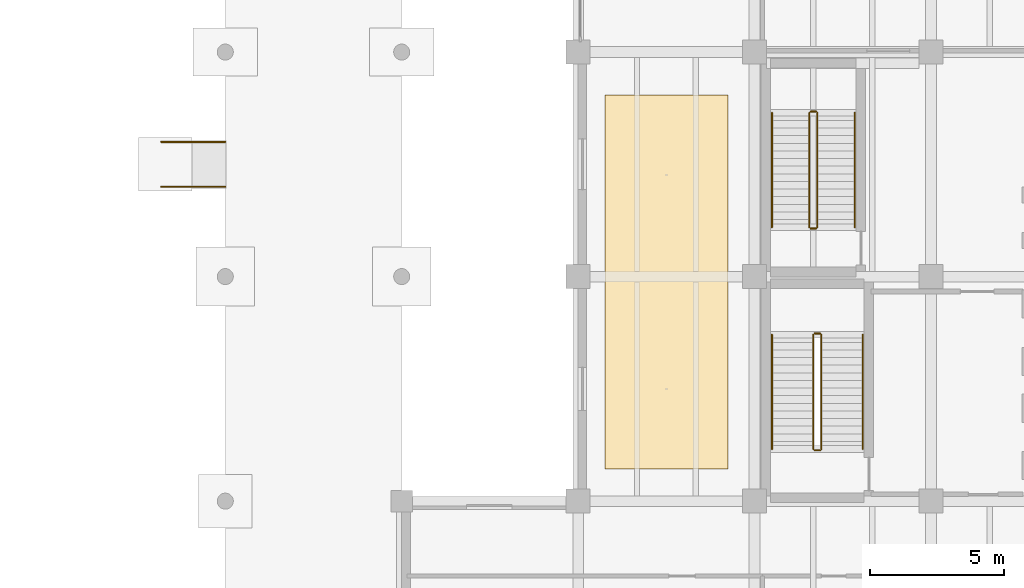
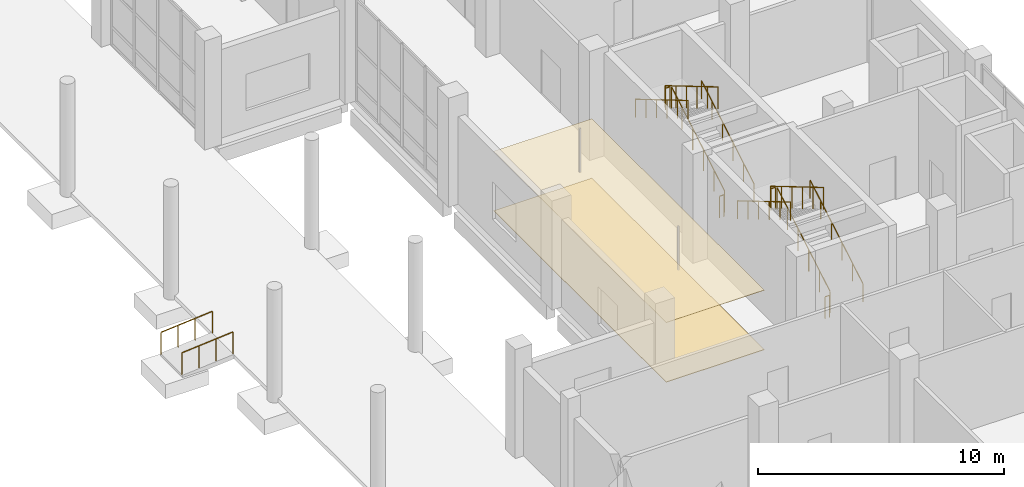
# One storey, part 62 of 64: 14 railings, 2 coverings.
"""IFC4 building model written with IfcOpenShell, lengths in metres."""

from ifc_helpers import new_model, si_unit, direction, frame, origin, origin_2d, place, context, subcontext, project, spatial, polyline, circle, outline, extrude, material, layer, layer_set, type_object, element, save


model = new_model("IFC4")

# Units and contexts
model_context = context("Model", 3, precision=1e-05, world=origin(), true_north=direction((0.0, 1.0)))
body_context = subcontext(model_context, "Body", "Model", "MODEL_VIEW")
ifc_project = project(units=[si_unit("LENGTHUNIT", "METRE"), si_unit("AREAUNIT", "SQUARE_METRE"), si_unit("VOLUMEUNIT", "CUBIC_METRE"), si_unit("PLANEANGLEUNIT", "RADIAN"), si_unit("MASSUNIT", "GRAM", prefix="KILO")], contexts=[model_context])

# Site, building, storey
site_placement = place(None, origin())
site = spatial("IfcSite", under=ifc_project, at=site_placement, CompositionType="ELEMENT")
building_placement = place(site_placement, origin())
building = spatial("IfcBuilding", under=site, at=building_placement, Name="Qaldarim Faculty of Natural and Applied Sciences", CompositionType="ELEMENT")
storey_placement = place(building_placement, origin())
storey = spatial("IfcBuildingStorey", under=building, at=storey_placement, Name="L00", CompositionType="ELEMENT", Elevation=0.0)

# Covering
ifc_material_1 = material(Name="Acoustic mineral fibre")
ifc_layer_1 = layer(ifc_material_1, 0.02001953125)
ifc_layer_set_1 = layer_set([ifc_layer_1], Name="Acoustic mineral fibre")
covering_type_1 = type_object("IfcCoveringType", Name="AcousticMineralCeiling-20", PredefinedType="CEILING", material=ifc_layer_set_1)
covering_1_placement = place(storey_placement, frame((0.0, 0.0, 2.949951171875)))
element("IfcCovering", 1, at=covering_1_placement, inside=storey, type_object=covering_type_1, Name="Acoustic corridor ceiling L00", PredefinedType="CEILING", context=body_context, shape_type="SweptSolid", body=[
    extrude(outline(polyline([(159.39990234375, 18.0), (164.0, 18.0), (164.0, 32.0), (159.39990234375, 32.0), (159.39990234375, 18.0)])), origin(), (0.0, 0.0, 1.0), 0.02001953125),
])

# Railings
ifc_material_2 = material(Name="Architectural stainless steel 316", Category="steel")
railing_type_1 = type_object("IfcRailingType", Name="ExteriorGuardBalustrade-1100", PredefinedType="BALUSTRADE", material=ifc_material_2)
for number, where, name in (
    (2, (142.800048828125, 30.239990234375, -0.199951171875), "East arcade accessible ramp handrail L"),
    (3, (142.800048828125, 28.56005859375, -0.199951171875), "East arcade accessible ramp handrail R"),
):
    element("IfcRailing", number, at=place(storey_placement, frame(where)), inside=storey, type_object=railing_type_1, Name=name, PredefinedType="BALUSTRADE", context=body_context, shape_type="SweptSolid", body=[
        extrude(circle(Radius=0.02392578125, at=origin_2d()), frame((0.0, 0.0, 1.076171875), z_axis=(0.996547156423, 0.0, 0.083028700011), x_axis=(0.0, 1.0, 0.0)), (0.0, 0.0, 1.0), 2.408203125),
        extrude(circle(Radius=0.02099609375, at=origin_2d()), origin(), (0.0, 0.0, 1.0), 1.052001953125),
        extrude(circle(Radius=0.02099609375, at=origin_2d()), frame((0.800048828125, 0.0, 0.066650390625)), (0.0, 0.0, 1.0), 1.052001953125),
        extrude(circle(Radius=0.02099609375, at=origin_2d()), frame((1.599853515625, 0.0, 0.13330078125)), (0.0, 0.0, 1.0), 1.052001953125),
        extrude(circle(Radius=0.02099609375, at=origin_2d()), frame((2.39990234375, 0.0, 0.199951171875)), (0.0, 0.0, 1.0), 1.052001953125),
    ])
railing_type_2 = type_object("IfcRailingType", Name="GuardBalustrade-1100", PredefinedType="BALUSTRADE", material=ifc_material_2)
railing_1_placement = place(storey_placement, frame((167.5, 18.75, 0.169921875)))
element("IfcRailing", 4, at=railing_1_placement, inside=storey, type_object=railing_type_2, Name="ST-A1 L00 stair well guard 1", PredefinedType="BALUSTRADE", context=body_context, shape_type="SweptSolid", body=[
    extrude(circle(Radius=0.02392578125, at=origin_2d()), frame((0.0, 0.0, 1.076171875), z_axis=(0.0, 0.860578001716, 0.509318665436), x_axis=(-1.0, 0.0, 0.0)), (0.0, 0.0, 1.0), 4.967529296875),
    extrude(circle(Radius=0.02099609375, at=origin_2d()), origin(), (0.0, 0.0, 1.0), 1.052001953125),
    extrude(circle(Radius=0.02099609375, at=origin_2d()), frame((0.0, 0.85498046875, 0.506103515625)), (0.0, 0.0, 1.0), 1.052001953125),
    extrude(circle(Radius=0.02099609375, at=origin_2d()), frame((0.0, 1.7099609375, 1.011962890625)), (0.0, 0.0, 1.0), 1.052001953125),
    extrude(circle(Radius=0.02099609375, at=origin_2d()), frame((0.0, 2.56494140625, 1.51806640625)), (0.0, 0.0, 1.0), 1.052001953125),
    extrude(circle(Radius=0.02099609375, at=origin_2d()), frame((0.0, 3.419921875, 2.02392578125)), (0.0, 0.0, 1.0), 1.052001953125),
    extrude(circle(Radius=0.02099609375, at=origin_2d()), frame((0.0, 4.27490234375, 2.530029296875)), (0.0, 0.0, 1.0), 1.052001953125),
])
railing_2_placement = place(storey_placement, frame((167.449951171875, 23.074951171875, 2.699951171875)))
element("IfcRailing", 5, at=railing_2_placement, inside=storey, type_object=railing_type_2, Name="ST-A1 L00 stair well guard 2", PredefinedType="BALUSTRADE", context=body_context, shape_type="SweptSolid", body=[
    extrude(circle(Radius=0.02392578125, at=origin_2d()), frame((0.0, 0.0, 1.076171875), z_axis=(-1.0, 0.0, 0.0), x_axis=(0.0, -1.0, 0.0)), (0.0, 0.0, 1.0), 0.199951171875),
    extrude(circle(Radius=0.02099609375, at=origin_2d()), origin(), (0.0, 0.0, 1.0), 1.052001953125),
    extrude(circle(Radius=0.02099609375, at=origin_2d()), frame((-0.199951171875, 0.0, 0.0)), (0.0, 0.0, 1.0), 1.052001953125),
])
railing_3_placement = place(storey_placement, frame((167.199951171875, 23.02490234375, 2.8701171875)))
element("IfcRailing", 6, at=railing_3_placement, inside=storey, type_object=railing_type_2, Name="ST-A1 L00 stair well guard 3", PredefinedType="BALUSTRADE", context=body_context, shape_type="SweptSolid", body=[
    extrude(circle(Radius=0.02392578125, at=origin_2d()), frame((0.0, 0.0, 1.076171875), z_axis=(0.0, -0.860599543382, 0.509282265478), x_axis=(1.0, 0.0, 0.0)), (0.0, 0.0, 1.0), 4.96728515625),
    extrude(circle(Radius=0.02099609375, at=origin_2d()), origin(), (0.0, 0.0, 1.0), 1.052001953125),
    extrude(circle(Radius=0.02099609375, at=origin_2d()), frame((0.0, -0.85498046875, 0.505859375)), (0.0, 0.0, 1.0), 1.052001953125),
    extrude(circle(Radius=0.02099609375, at=origin_2d()), frame((0.0, -1.7099609375, 1.011962890625)), (0.0, 0.0, 1.0), 1.052001953125),
    extrude(circle(Radius=0.02099609375, at=origin_2d()), frame((0.0, -2.56494140625, 1.517822265625)), (0.0, 0.0, 1.0), 1.052001953125),
    extrude(circle(Radius=0.02099609375, at=origin_2d()), frame((0.0, -3.419921875, 2.02392578125)), (0.0, 0.0, 1.0), 1.052001953125),
    extrude(circle(Radius=0.02099609375, at=origin_2d()), frame((0.0, -4.27490234375, 2.52978515625)), (0.0, 0.0, 1.0), 1.052001953125),
])
railing_4_placement = place(storey_placement, frame((167.449951171875, 18.699951171875, 0.0)))
element("IfcRailing", 7, at=railing_4_placement, inside=storey, type_object=railing_type_2, Name="ST-A1 L00 stair well guard 4", PredefinedType="BALUSTRADE", context=body_context, shape_type="SweptSolid", body=[
    extrude(circle(Radius=0.02392578125, at=origin_2d()), frame((0.0, 0.0, 1.076171875), z_axis=(-1.0, 0.0, 0.0), x_axis=(0.0, -1.0, 0.0)), (0.0, 0.0, 1.0), 0.199951171875),
    extrude(circle(Radius=0.02099609375, at=origin_2d()), origin(), (0.0, 0.0, 1.0), 1.052001953125),
    extrude(circle(Radius=0.02099609375, at=origin_2d()), frame((-0.199951171875, 0.0, 0.0)), (0.0, 0.0, 1.0), 1.052001953125),
])
railing_5_placement = place(storey_placement, frame((167.35009765625, 27.050048828125, 0.169921875)))
element("IfcRailing", 8, at=railing_5_placement, inside=storey, type_object=railing_type_2, Name="ST-A2 L00 stair well guard 1", PredefinedType="BALUSTRADE", context=body_context, shape_type="SweptSolid", body=[
    extrude(circle(Radius=0.02392578125, at=origin_2d()), frame((0.0, 0.0, 1.076171875), z_axis=(0.0, 0.860578001716, 0.509318665436), x_axis=(-1.0, 0.0, 0.0)), (0.0, 0.0, 1.0), 4.967529296875),
    extrude(circle(Radius=0.02099609375, at=origin_2d()), origin(), (0.0, 0.0, 1.0), 1.052001953125),
    extrude(circle(Radius=0.02099609375, at=origin_2d()), frame((0.0, 0.85498046875, 0.506103515625)), (0.0, 0.0, 1.0), 1.052001953125),
    extrude(circle(Radius=0.02099609375, at=origin_2d()), frame((0.0, 1.7099609375, 1.011962890625)), (0.0, 0.0, 1.0), 1.052001953125),
    extrude(circle(Radius=0.02099609375, at=origin_2d()), frame((0.0, 2.56494140625, 1.51806640625)), (0.0, 0.0, 1.0), 1.052001953125),
    extrude(circle(Radius=0.02099609375, at=origin_2d()), frame((0.0, 3.419921875, 2.02392578125)), (0.0, 0.0, 1.0), 1.052001953125),
    extrude(circle(Radius=0.02099609375, at=origin_2d()), frame((0.0, 4.27490234375, 2.530029296875)), (0.0, 0.0, 1.0), 1.052001953125),
])
railing_6_placement = place(storey_placement, frame((167.300048828125, 31.375, 2.699951171875)))
element("IfcRailing", 9, at=railing_6_placement, inside=storey, type_object=railing_type_2, Name="ST-A2 L00 stair well guard 2", PredefinedType="BALUSTRADE", context=body_context, shape_type="SweptSolid", body=[
    extrude(circle(Radius=0.02392578125, at=origin_2d()), frame((0.0, 0.0, 1.076171875), z_axis=(-1.0, 0.0, 0.0), x_axis=(0.0, -1.0, 0.0)), (0.0, 0.0, 1.0), 0.199951171875),
    extrude(circle(Radius=0.02099609375, at=origin_2d()), origin(), (0.0, 0.0, 1.0), 1.052001953125),
    extrude(circle(Radius=0.02099609375, at=origin_2d()), frame((-0.199951171875, 0.0, 0.0)), (0.0, 0.0, 1.0), 1.052001953125),
])
railing_7_placement = place(storey_placement, frame((167.050048828125, 31.324951171875, 2.8701171875)))
element("IfcRailing", 10, at=railing_7_placement, inside=storey, type_object=railing_type_2, Name="ST-A2 L00 stair well guard 3", PredefinedType="BALUSTRADE", context=body_context, shape_type="SweptSolid", body=[
    extrude(circle(Radius=0.02392578125, at=origin_2d()), frame((0.0, 0.0, 1.076171875), z_axis=(0.0, -0.860599543382, 0.509282265478), x_axis=(1.0, 0.0, 0.0)), (0.0, 0.0, 1.0), 4.96728515625),
    extrude(circle(Radius=0.02099609375, at=origin_2d()), origin(), (0.0, 0.0, 1.0), 1.052001953125),
    extrude(circle(Radius=0.02099609375, at=origin_2d()), frame((0.0, -0.85498046875, 0.505859375)), (0.0, 0.0, 1.0), 1.052001953125),
    extrude(circle(Radius=0.02099609375, at=origin_2d()), frame((0.0, -1.7099609375, 1.011962890625)), (0.0, 0.0, 1.0), 1.052001953125),
    extrude(circle(Radius=0.02099609375, at=origin_2d()), frame((0.0, -2.56494140625, 1.517822265625)), (0.0, 0.0, 1.0), 1.052001953125),
    extrude(circle(Radius=0.02099609375, at=origin_2d()), frame((0.0, -3.419921875, 2.02392578125)), (0.0, 0.0, 1.0), 1.052001953125),
    extrude(circle(Radius=0.02099609375, at=origin_2d()), frame((0.0, -4.27490234375, 2.52978515625)), (0.0, 0.0, 1.0), 1.052001953125),
])
railing_8_placement = place(storey_placement, frame((167.300048828125, 27.0, 0.0)))
element("IfcRailing", 11, at=railing_8_placement, inside=storey, type_object=railing_type_2, Name="ST-A2 L00 stair well guard 4", PredefinedType="BALUSTRADE", context=body_context, shape_type="SweptSolid", body=[
    extrude(circle(Radius=0.02392578125, at=origin_2d()), frame((0.0, 0.0, 1.076171875), z_axis=(-1.0, 0.0, 0.0), x_axis=(0.0, -1.0, 0.0)), (0.0, 0.0, 1.0), 0.199951171875),
    extrude(circle(Radius=0.02099609375, at=origin_2d()), origin(), (0.0, 0.0, 1.0), 1.052001953125),
    extrude(circle(Radius=0.02099609375, at=origin_2d()), frame((-0.199951171875, 0.0, 0.0)), (0.0, 0.0, 1.0), 1.052001953125),
])
railing_type_3 = type_object("IfcRailingType", Name="StairHandrail-920", PredefinedType="HANDRAIL", material=ifc_material_2)
railing_9_placement = place(storey_placement, frame((169.050048828125, 18.75, 0.169921875)))
element("IfcRailing", 12, at=railing_9_placement, inside=storey, type_object=railing_type_3, Name="ST-A1 L00 stair handrail 1", PredefinedType="HANDRAIL", context=body_context, shape_type="SweptSolid", body=[
    extrude(circle(Radius=0.02392578125, at=origin_2d()), frame((0.0, 0.0, 0.89599609375), z_axis=(0.0, 0.860578001716, 0.509318665436), x_axis=(-1.0, 0.0, 0.0)), (0.0, 0.0, 1.0), 4.967529296875),
    extrude(circle(Radius=0.02099609375, at=origin_2d()), origin(), (0.0, 0.0, 1.0), 0.871826171875),
    extrude(circle(Radius=0.02099609375, at=origin_2d()), frame((0.0, 0.85498046875, 0.506103515625)), (0.0, 0.0, 1.0), 0.871826171875),
    extrude(circle(Radius=0.02099609375, at=origin_2d()), frame((0.0, 1.7099609375, 1.011962890625)), (0.0, 0.0, 1.0), 0.871826171875),
    extrude(circle(Radius=0.02099609375, at=origin_2d()), frame((0.0, 2.56494140625, 1.51806640625)), (0.0, 0.0, 1.0), 0.871826171875),
    extrude(circle(Radius=0.02099609375, at=origin_2d()), frame((0.0, 3.419921875, 2.02392578125)), (0.0, 0.0, 1.0), 0.871826171875),
    extrude(circle(Radius=0.02099609375, at=origin_2d()), frame((0.0, 4.27490234375, 2.530029296875)), (0.0, 0.0, 1.0), 0.871826171875),
])
railing_10_placement = place(storey_placement, frame((165.64990234375, 23.02490234375, 2.8701171875)))
element("IfcRailing", 13, at=railing_10_placement, inside=storey, type_object=railing_type_3, Name="ST-A1 L00 stair handrail 2", PredefinedType="HANDRAIL", context=body_context, shape_type="SweptSolid", body=[
    extrude(circle(Radius=0.02392578125, at=origin_2d()), frame((0.0, 0.0, 0.89599609375), z_axis=(0.0, -0.860599543382, 0.509282265478), x_axis=(1.0, 0.0, 0.0)), (0.0, 0.0, 1.0), 4.96728515625),
    extrude(circle(Radius=0.02099609375, at=origin_2d()), origin(), (0.0, 0.0, 1.0), 0.871826171875),
    extrude(circle(Radius=0.02099609375, at=origin_2d()), frame((0.0, -0.85498046875, 0.505859375)), (0.0, 0.0, 1.0), 0.871826171875),
    extrude(circle(Radius=0.02099609375, at=origin_2d()), frame((0.0, -1.7099609375, 1.011962890625)), (0.0, 0.0, 1.0), 0.871826171875),
    extrude(circle(Radius=0.02099609375, at=origin_2d()), frame((0.0, -2.56494140625, 1.517822265625)), (0.0, 0.0, 1.0), 0.871826171875),
    extrude(circle(Radius=0.02099609375, at=origin_2d()), frame((0.0, -3.419921875, 2.02392578125)), (0.0, 0.0, 1.0), 0.871826171875),
    extrude(circle(Radius=0.02099609375, at=origin_2d()), frame((0.0, -4.27490234375, 2.52978515625)), (0.0, 0.0, 1.0), 0.871826171875),
])
railing_11_placement = place(storey_placement, frame((168.75, 27.050048828125, 0.169921875)))
element("IfcRailing", 14, at=railing_11_placement, inside=storey, type_object=railing_type_3, Name="ST-A2 L00 stair handrail 1", PredefinedType="HANDRAIL", context=body_context, shape_type="SweptSolid", body=[
    extrude(circle(Radius=0.02392578125, at=origin_2d()), frame((0.0, 0.0, 0.89599609375), z_axis=(0.0, 0.860578001716, 0.509318665436), x_axis=(-1.0, 0.0, 0.0)), (0.0, 0.0, 1.0), 4.967529296875),
    extrude(circle(Radius=0.02099609375, at=origin_2d()), origin(), (0.0, 0.0, 1.0), 0.871826171875),
    extrude(circle(Radius=0.02099609375, at=origin_2d()), frame((0.0, 0.85498046875, 0.506103515625)), (0.0, 0.0, 1.0), 0.871826171875),
    extrude(circle(Radius=0.02099609375, at=origin_2d()), frame((0.0, 1.7099609375, 1.011962890625)), (0.0, 0.0, 1.0), 0.871826171875),
    extrude(circle(Radius=0.02099609375, at=origin_2d()), frame((0.0, 2.56494140625, 1.51806640625)), (0.0, 0.0, 1.0), 0.871826171875),
    extrude(circle(Radius=0.02099609375, at=origin_2d()), frame((0.0, 3.419921875, 2.02392578125)), (0.0, 0.0, 1.0), 0.871826171875),
    extrude(circle(Radius=0.02099609375, at=origin_2d()), frame((0.0, 4.27490234375, 2.530029296875)), (0.0, 0.0, 1.0), 0.871826171875),
])
railing_12_placement = place(storey_placement, frame((165.64990234375, 31.324951171875, 2.8701171875)))
element("IfcRailing", 15, at=railing_12_placement, inside=storey, type_object=railing_type_3, Name="ST-A2 L00 stair handrail 2", PredefinedType="HANDRAIL", context=body_context, shape_type="SweptSolid", body=[
    extrude(circle(Radius=0.02392578125, at=origin_2d()), frame((0.0, 0.0, 0.89599609375), z_axis=(0.0, -0.860599543382, 0.509282265478), x_axis=(1.0, 0.0, 0.0)), (0.0, 0.0, 1.0), 4.96728515625),
    extrude(circle(Radius=0.02099609375, at=origin_2d()), origin(), (0.0, 0.0, 1.0), 0.871826171875),
    extrude(circle(Radius=0.02099609375, at=origin_2d()), frame((0.0, -0.85498046875, 0.505859375)), (0.0, 0.0, 1.0), 0.871826171875),
    extrude(circle(Radius=0.02099609375, at=origin_2d()), frame((0.0, -1.7099609375, 1.011962890625)), (0.0, 0.0, 1.0), 0.871826171875),
    extrude(circle(Radius=0.02099609375, at=origin_2d()), frame((0.0, -2.56494140625, 1.517822265625)), (0.0, 0.0, 1.0), 0.871826171875),
    extrude(circle(Radius=0.02099609375, at=origin_2d()), frame((0.0, -3.419921875, 2.02392578125)), (0.0, 0.0, 1.0), 0.871826171875),
    extrude(circle(Radius=0.02099609375, at=origin_2d()), frame((0.0, -4.27490234375, 2.52978515625)), (0.0, 0.0, 1.0), 0.871826171875),
])

# Covering
ifc_material_3 = material(Name="Terrazzo stone finish", Category="masonry")
ifc_layer_2 = layer(ifc_material_3, 0.02490234375)
ifc_layer_set_2 = layer_set([ifc_layer_2], Name="Terrazzo stone finish")
covering_type_2 = type_object("IfcCoveringType", Name="TerrazzoFlooring-25", PredefinedType="FLOORING", material=ifc_layer_set_2)
covering_2_placement = place(storey_placement, origin())
element("IfcCovering", 16, at=covering_2_placement, inside=storey, type_object=covering_type_2, Name="Polished terrazzo corridor flooring L00", PredefinedType="FLOORING", context=body_context, shape_type="SweptSolid", body=[
    extrude(outline(polyline([(159.39990234375, 18.0), (164.0, 18.0), (164.0, 32.0), (159.39990234375, 32.0), (159.39990234375, 18.0)])), origin(), (0.0, 0.0, 1.0), 0.02490234375),
])

save(model, "model.ifc")
